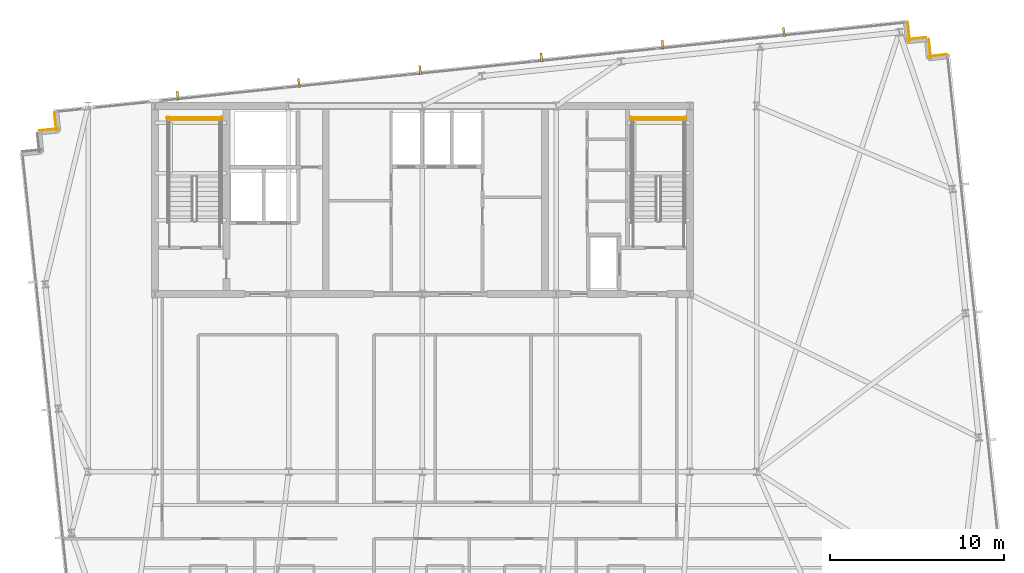
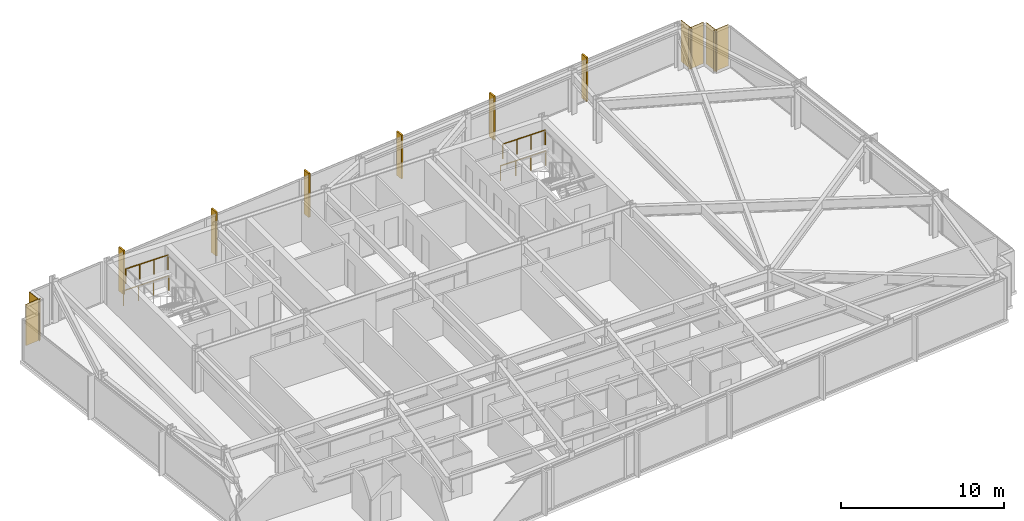
# One storey, part 33 of 33: 6 coverings, 6 shading devices, 4 railings.
"""IFC4 building model written with IfcOpenShell, lengths in metres."""

from ifc_helpers import new_model, si_unit, direction, frame, frame_2d, origin, origin_2d, place, context, subcontext, project, spatial, rectangle, circle, extrude, material, layer, layer_set, type_object, element, save


model = new_model("IFC4")

# Units and contexts
model_context = context("Model", 3, precision=1e-05, world=origin(), true_north=direction((0.0, 1.0)))
body_context = subcontext(model_context, "Body", "Model", "MODEL_VIEW")
ifc_project = project(units=[si_unit("LENGTHUNIT", "METRE"), si_unit("AREAUNIT", "SQUARE_METRE"), si_unit("VOLUMEUNIT", "CUBIC_METRE"), si_unit("PLANEANGLEUNIT", "RADIAN"), si_unit("MASSUNIT", "GRAM", prefix="KILO")], contexts=[model_context])

# Site, building, storey
site_placement = place(None, origin())
site = spatial("IfcSite", under=ifc_project, at=site_placement, CompositionType="ELEMENT")
building_placement = place(site_placement, origin())
building = spatial("IfcBuilding", under=site, at=building_placement, Name="Yelkora Congress Tower", CompositionType="ELEMENT")
storey_placement = place(building_placement, frame((0.0, 0.0, 230.89990234375)))
storey = spatial("IfcBuildingStorey", under=building, at=storey_placement, Name="L64", CompositionType="ELEMENT", Elevation=230.89990234375)

# Coverings
ifc_material_1 = material(Name="Anatolian bush-hammered limestone", Category="masonry")
ifc_layer_1 = layer(ifc_material_1, 0.0400390625)
ifc_layer_set_1 = layer_set([ifc_layer_1], Name="Anatolian bush-hammered limestone")
covering_type = type_object("IfcCoveringType", Name="COV-CLAD-SPANDREL-40", PredefinedType="CLADDING", material=ifc_layer_set_1)
for number, where, z_axis, x_axis, name in (
    (1, (16.406005859375, 44.7880859375, 0.0), (0.0, 0.0, 1.0), (0.994544300928, 0.104315068386, 0.0), "L64 Anatolian Limestone Cladding EW-L64-SR08"),
    (2, (17.379638671875, 44.75439453125, 0.0), (0.0, 0.0, 1.0), (-0.104534592565, 0.994521251134, 0.0), "L64 Anatolian Limestone Cladding EW-L64-SR09"),
    (3, (66.284912109375, 51.000732421875, 0.0), (0.0, 0.0, 1.0), (0.104534592565, -0.994521251134, 0.0), "L64 Anatolian Limestone Cladding EW-L64-SR11"),
):
    element("IfcCovering", number, at=place(storey_placement, frame(where, z_axis=z_axis, x_axis=x_axis)), inside=storey, type_object=covering_type, Name=name, PredefinedType="CLADDING", context=body_context, shape_type="SweptSolid", body=[
        extrude(rectangle(XDim=1.10009765625, YDim=0.0400390625, at=frame_2d((0.550048828125, 0.0))), origin(), (0.0, 0.0, 1.0), 3.080078125),
    ])
covering_placement = place(storey_placement, frame((66.25146484375, 50.02685546875, 0.0), z_axis=(0.0, 0.0, 1.0), x_axis=(0.994518825066, 0.104557671117, 0.0)))
element("IfcCovering", 4, at=covering_placement, inside=storey, type_object=covering_type, Name="L64 Anatolian Limestone Cladding EW-L64-SR12", PredefinedType="CLADDING", context=body_context, shape_type="SweptSolid", body=[
    extrude(rectangle(XDim=1.099853515625, YDim=0.0400390625, at=frame_2d((0.5498046875, 0.0))), origin(), (0.0, 0.0, 1.0), 3.080078125),
])
for number, where, z_axis, x_axis, name in (
    (5, (67.49365234375, 50.021728515625, 0.0), (0.0, 0.0, 1.0), (0.104534592565, -0.994521251134, 0.0), "L64 Anatolian Limestone Cladding EW-L64-SR13"),
    (6, (67.460205078125, 49.0478515625, 0.0), (0.0, 0.0, 1.0), (0.994521251134, 0.104534592565, 0.0), "L64 Anatolian Limestone Cladding EW-L64-SR14"),
):
    element("IfcCovering", number, at=place(storey_placement, frame(where, z_axis=z_axis, x_axis=x_axis)), inside=storey, type_object=covering_type, Name=name, PredefinedType="CLADDING", context=body_context, shape_type="SweptSolid", body=[
        extrude(rectangle(XDim=1.10009765625, YDim=0.0400390625, at=frame_2d((0.550048828125, 0.0))), origin(), (0.0, 0.0, 1.0), 3.080078125),
    ])

# Railings
ifc_material_2 = material(Name="Painted galvanised steel stair well guard with vertical infill", Category="steel")
ifc_layer_2 = layer(ifc_material_2, 0.06005859375)
ifc_layer_set_2 = layer_set([ifc_layer_2], Name="Painted galvanised steel stair well guard with vertical infill")
railing_type = type_object("IfcRailingType", Name="RAIL-STAIR-GUARD-1120", PredefinedType="GUARDRAIL", material=ifc_layer_set_2)
railing_1_placement = place(storey_placement, frame((26.820068359375, 45.419921875, 1.650146484375)))
element("IfcRailing", 7, at=railing_1_placement, inside=storey, type_object=railing_type, Name="ST-01 L64 Stair Well Guardrail 5", PredefinedType="GUARDRAIL", context=body_context, shape_type="SweptSolid", body=[
    extrude(circle(Radius=0.02392578125, at=origin_2d()), frame((0.0, 0.0, 1.09619140625), z_axis=(-1.0, 0.0, 0.0), x_axis=(0.0, -1.0, 0.0)), (0.0, 0.0, 1.0), 3.0),
    extrude(circle(Radius=0.02099609375, at=origin_2d()), origin(), (0.0, 0.0, 1.0), 1.072021484375),
    extrude(circle(Radius=0.02099609375, at=origin_2d()), frame((-1.0, 0.0, 0.0)), (0.0, 0.0, 1.0), 1.072021484375),
    extrude(circle(Radius=0.02099609375, at=origin_2d()), frame((-2.0, 0.0, 0.0)), (0.0, 0.0, 1.0), 1.072021484375),
    extrude(circle(Radius=0.02099609375, at=origin_2d()), frame((-3.0, 0.0, 0.0)), (0.0, 0.0, 1.0), 1.072021484375),
])
railing_2_placement = place(storey_placement, frame((26.919921875, 45.52001953125, 0.0)))
element("IfcRailing", 8, at=railing_2_placement, inside=storey, type_object=railing_type, Name="ST-01 L64 Stair Well Guardrail 12", PredefinedType="GUARDRAIL", context=body_context, shape_type="SweptSolid", body=[
    extrude(circle(Radius=0.02392578125, at=origin_2d()), frame((0.0, 0.0, 1.09619140625), z_axis=(-1.0, 0.0, 0.0), x_axis=(0.0, -1.0, 0.0)), (0.0, 0.0, 1.0), 3.199951171875),
    extrude(circle(Radius=0.02099609375, at=origin_2d()), origin(), (0.0, 0.0, 1.0), 1.072021484375),
    extrude(circle(Radius=0.02099609375, at=origin_2d()), frame((-1.066650390625, 0.0, 0.0)), (0.0, 0.0, 1.0), 1.072021484375),
    extrude(circle(Radius=0.02099609375, at=origin_2d()), frame((-2.13330078125, 0.0, 0.0)), (0.0, 0.0, 1.0), 1.072021484375),
    extrude(circle(Radius=0.02099609375, at=origin_2d()), frame((-3.199951171875, 0.0, 0.0)), (0.0, 0.0, 1.0), 1.072021484375),
])
railing_3_placement = place(storey_placement, frame((53.4599609375, 45.419921875, 1.650146484375)))
element("IfcRailing", 9, at=railing_3_placement, inside=storey, type_object=railing_type, Name="ST-02 L64 Stair Well Guardrail 5", PredefinedType="GUARDRAIL", context=body_context, shape_type="SweptSolid", body=[
    extrude(circle(Radius=0.02392578125, at=origin_2d()), frame((0.0, 0.0, 1.09619140625), z_axis=(-1.0, 0.0, 0.0), x_axis=(0.0, -1.0, 0.0)), (0.0, 0.0, 1.0), 3.0),
    extrude(circle(Radius=0.02099609375, at=origin_2d()), origin(), (0.0, 0.0, 1.0), 1.072021484375),
    extrude(circle(Radius=0.02099609375, at=origin_2d()), frame((-1.0, 0.0, 0.0)), (0.0, 0.0, 1.0), 1.072021484375),
    extrude(circle(Radius=0.02099609375, at=origin_2d()), frame((-2.0, 0.0, 0.0)), (0.0, 0.0, 1.0), 1.072021484375),
    extrude(circle(Radius=0.02099609375, at=origin_2d()), frame((-3.0, 0.0, 0.0)), (0.0, 0.0, 1.0), 1.072021484375),
])
railing_4_placement = place(storey_placement, frame((53.56005859375, 45.52001953125, 0.0)))
element("IfcRailing", 10, at=railing_4_placement, inside=storey, type_object=railing_type, Name="ST-02 L64 Stair Well Guardrail 12", PredefinedType="GUARDRAIL", context=body_context, shape_type="SweptSolid", body=[
    extrude(circle(Radius=0.02392578125, at=origin_2d()), frame((0.0, 0.0, 1.09619140625), z_axis=(-1.0, 0.0, 0.0), x_axis=(0.0, -1.0, 0.0)), (0.0, 0.0, 1.0), 3.199951171875),
    extrude(circle(Radius=0.02099609375, at=origin_2d()), origin(), (0.0, 0.0, 1.0), 1.072021484375),
    extrude(circle(Radius=0.02099609375, at=origin_2d()), frame((-1.066650390625, 0.0, 0.0)), (0.0, 0.0, 1.0), 1.072021484375),
    extrude(circle(Radius=0.02099609375, at=origin_2d()), frame((-2.13330078125, 0.0, 0.0)), (0.0, 0.0, 1.0), 1.072021484375),
    extrude(circle(Radius=0.02099609375, at=origin_2d()), frame((-3.199951171875, 0.0, 0.0)), (0.0, 0.0, 1.0), 1.072021484375),
])

# Shading devices
ifc_material_3 = material(Name="Champagne anodised aluminium", Category="aluminium")
ifc_layer_3 = layer(ifc_material_3, 3.300048828125)
ifc_layer_set_3 = layer_set([ifc_layer_3], Name="Champagne anodised aluminium")
shading_device_type = type_object("IfcShadingDeviceType", Name="SHD-FIN-ALU-520", PredefinedType="USERDEFINED", material=ifc_layer_set_3)
for number, where, z_axis, x_axis, name in (
    (11, (24.342529296875, 46.79345703125, -0.02978515625), (0.0, 0.0, 1.0), (0.994521895368, 0.104528463268, 0.0), "L64 Vertical Anodised Solar Fin 10-1"),
    (12, (31.30712890625, 47.525390625, -0.02978515625), (0.0, 0.0, 1.0), (0.994521895368, 0.104528463268, 0.0), "L64 Vertical Anodised Solar Fin 10-2"),
    (13, (38.271484375, 48.257568359375, -0.02978515625), (0.0, 0.0, 1.0), (0.994521895368, 0.104528463268, 0.0), "L64 Vertical Anodised Solar Fin 10-3"),
    (14, (45.236083984375, 48.989501953125, -0.02978515625), (0.0, 0.0, 1.0), (0.994521895368, 0.104528463268, 0.0), "L64 Vertical Anodised Solar Fin 10-4"),
    (15, (52.20068359375, 49.721435546875, -0.02978515625), (0.0, 0.0, 1.0), (0.994521895368, 0.104528463268, 0.0), "L64 Vertical Anodised Solar Fin 10-5"),
    (16, (59.1650390625, 50.45361328125, -0.02978515625), (0.0, 0.0, 1.0), (0.994521895368, 0.104528463268, 0.0), "L64 Vertical Anodised Solar Fin 10-6"),
):
    element("IfcShadingDevice", number, at=place(storey_placement, frame(where, z_axis=z_axis, x_axis=x_axis)), inside=storey, type_object=shading_device_type, Name=name, ObjectType="FIN", PredefinedType="USERDEFINED", context=body_context, shape_type="SweptSolid", body=[
        extrude(rectangle(XDim=0.1201171875, YDim=0.52001953125, at=origin_2d()), origin(), (0.0, 0.0, 1.0), 3.280029296875),
    ])

save(model, "model.ifc")
